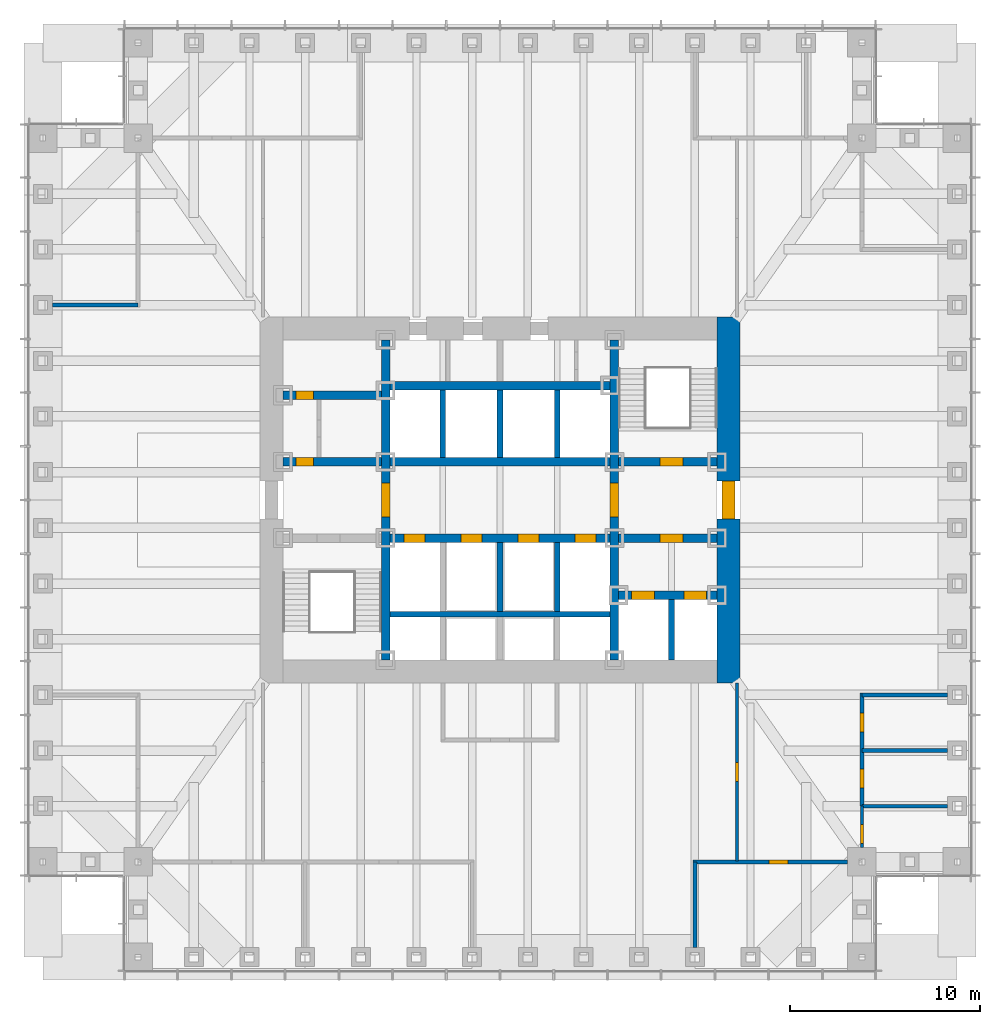
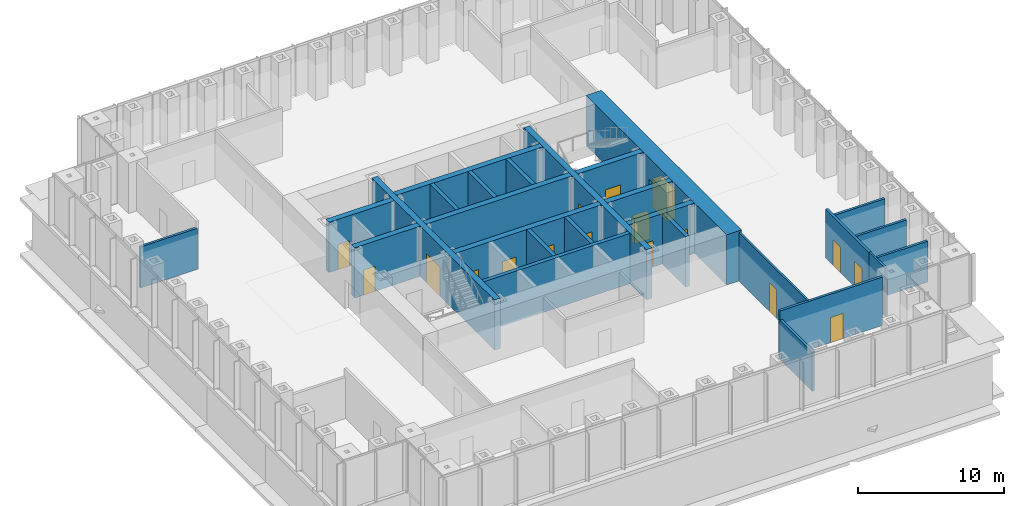
# One storey, part 9 of 16: 27 walls, 18 doors, 18 openings.
"""IFC4 building model written with IfcOpenShell, lengths in metres."""

from ifc_helpers import new_model, si_unit, direction, frame, frame_2d, origin, place, context, subcontext, project, spatial, rectangle, extrude, material, layer, layer_set, type_object, element, fill, save


model = new_model("IFC4")

# Units and contexts
model_context = context("Model", 3, precision=1e-05, world=origin(), true_north=direction((0.0, 1.0)))
body_context = subcontext(model_context, "Body", "Model", "MODEL_VIEW")
ifc_project = project(units=[si_unit("LENGTHUNIT", "METRE"), si_unit("AREAUNIT", "SQUARE_METRE"), si_unit("VOLUMEUNIT", "CUBIC_METRE"), si_unit("PLANEANGLEUNIT", "RADIAN"), si_unit("MASSUNIT", "GRAM", prefix="KILO")], contexts=[model_context])

# Site, building, storey
site_placement = place(None, origin())
site = spatial("IfcSite", under=ifc_project, at=site_placement, CompositionType="ELEMENT")
building_placement = place(site_placement, origin())
building = spatial("IfcBuilding", under=site, at=building_placement, Name="Daluyong Arena Tower", CompositionType="ELEMENT")
storey_placement = place(building_placement, frame((0.0, 0.0, 34.89990234375)))
storey = spatial("IfcBuildingStorey", under=building, at=storey_placement, Name="L06", CompositionType="ELEMENT", Elevation=34.89990234375)

# Wall, opening, door
ifc_material_1 = material(Name="Concrete fc' 45 MPa", Category="concrete")
ifc_layer_1 = layer(ifc_material_1, 0.449951171875)
ifc_layer_set_1 = layer_set([ifc_layer_1], Name="Concrete fc' 45 MPa")
wall_type_1 = type_object("IfcWallType", Name="Core inner wall 450", PredefinedType="SHEAR", material=ifc_layer_set_1)
wall_1_placement = place(storey_placement, frame((50.0, 71.60009765625, 0.0), z_axis=(0.0, 0.0, 1.0), x_axis=(0.0, 1.0, 0.0)))
wall_1 = element("IfcWall", 1, at=wall_1_placement, inside=storey, type_object=wall_type_1, Name="core inner wall at L06", PredefinedType="SHEAR", context=body_context, shape_type="SweptSolid", body=[
    extrude(rectangle(XDim=16.7998046875, YDim=0.449951171875, at=frame_2d((8.39990234375, 0.0))), origin(), (0.0, 0.0, 1.0), 4.2001953125),
])
opening_1_placement = place(wall_1_placement, frame((7.5, 0.0, 0.0)))
opening_1 = element("IfcOpeningElement", 2, at=opening_1_placement, cuts=wall_1, Name="Opening 06012", PredefinedType="OPENING", context=body_context, shape_type="SweptSolid", body=[
    extrude(rectangle(XDim=1.800048828125, YDim=2.39990234375, at=frame_2d((0.89990234375, 1.199951171875))), frame((0.0, 0.23486328125, 0.0), z_axis=(0.0, -1.0, 0.0), x_axis=(1.0, 0.0, 0.0)), (0.0, 0.0, 1.0), 0.469970703125),
])
ifc_material_2 = material(Name="Steel door, fire rated", Category="steel")
door_type_1 = type_object("IfcDoorType", Name="Lift lobby opening door 1800", OperationType="DOUBLE_DOOR_SINGLE_SWING", PredefinedType="DOOR", material=ifc_material_2)
door_1_placement = place(opening_1_placement, origin())
door_1 = element("IfcDoor", 3, at=door_1_placement, inside=storey, type_object=door_type_1, Name="lift lobby door west 06012", OperationType="DOUBLE_DOOR_SINGLE_SWING", OverallHeight=2.39990234375, OverallWidth=1.800048828125, PredefinedType="DOOR", context=body_context, shape_type="SweptSolid", body=[
    extrude(rectangle(XDim=1.800048828125, YDim=2.39990234375, at=frame_2d((0.89990234375, 1.199951171875))), frame((0.0, 0.224609375, 0.0), z_axis=(0.0, -1.0, 0.0), x_axis=(1.0, 0.0, 0.0)), (0.0, 0.0, 1.0), 0.449462890625),
])
fill(opening_1, door_1)

wall_2_placement = place(storey_placement, frame((62.0, 71.60009765625, 0.0), z_axis=(0.0, 0.0, 1.0), x_axis=(0.0, 1.0, 0.0)))
wall_2 = element("IfcWall", 4, at=wall_2_placement, inside=storey, type_object=wall_type_1, Name="core inner wall at L06", PredefinedType="SHEAR", context=body_context, shape_type="SweptSolid", body=[
    extrude(rectangle(XDim=16.7998046875, YDim=0.449951171875, at=frame_2d((8.39990234375, 0.0))), origin(), (0.0, 0.0, 1.0), 4.2001953125),
])
opening_2_placement = place(wall_2_placement, frame((7.5, 0.0, 0.0)))
opening_2 = element("IfcOpeningElement", 5, at=opening_2_placement, cuts=wall_2, Name="Opening 06013", PredefinedType="OPENING", context=body_context, shape_type="SweptSolid", body=[
    extrude(rectangle(XDim=1.800048828125, YDim=2.39990234375, at=frame_2d((0.89990234375, 1.199951171875))), frame((0.0, 0.23486328125, 0.0), z_axis=(0.0, -1.0, 0.0), x_axis=(1.0, 0.0, 0.0)), (0.0, 0.0, 1.0), 0.469970703125),
])
door_2_placement = place(opening_2_placement, origin())
door_2 = element("IfcDoor", 6, at=door_2_placement, inside=storey, type_object=door_type_1, Name="lift lobby door east 06013", OperationType="DOUBLE_DOOR_SINGLE_SWING", OverallHeight=2.39990234375, OverallWidth=1.800048828125, PredefinedType="DOOR", context=body_context, shape_type="SweptSolid", body=[
    extrude(rectangle(XDim=1.800048828125, YDim=2.39990234375, at=frame_2d((0.89990234375, 1.199951171875))), frame((0.0, 0.224609375, 0.0), z_axis=(0.0, -1.0, 0.0), x_axis=(1.0, 0.0, 0.0)), (0.0, 0.0, 1.0), 0.449462890625),
])
fill(opening_2, door_2)

wall_3_placement = place(storey_placement, frame((44.60009765625, 82.0, 0.0), z_axis=(0.0, 0.0, 1.0), x_axis=(1.0, 0.0, 0.0)))
wall_3 = element("IfcWall", 7, at=wall_3_placement, inside=storey, type_object=wall_type_1, Name="core inner wall at L06", PredefinedType="SHEAR", context=body_context, shape_type="SweptSolid", body=[
    extrude(rectangle(XDim=5.1748046875, YDim=0.449951171875, at=frame_2d((2.58740234375, 0.0))), origin(), (0.0, 0.0, 1.0), 4.2001953125),
])
opening_3_placement = place(wall_3_placement, frame((0.699951171875, 0.0, 0.0)))
opening_3 = element("IfcOpeningElement", 8, at=opening_3_placement, cuts=wall_3, Name="Opening 06001", PredefinedType="OPENING", context=body_context, shape_type="SweptSolid", body=[
    extrude(rectangle(XDim=0.89990234375, YDim=2.10009765625, at=frame_2d((0.449951171875, 1.050048828125))), frame((0.0, 0.23486328125, 0.0), z_axis=(0.0, -1.0, 0.0), x_axis=(1.0, 0.0, 0.0)), (0.0, 0.0, 1.0), 0.469970703125),
])
ifc_material_3 = material(Name="Steel door, fire rated", Category="steel")
door_type_2 = type_object("IfcDoorType", Name="Core room door 900", OperationType="SINGLE_SWING_LEFT", PredefinedType="DOOR", material=ifc_material_3)
door_3_placement = place(opening_3_placement, origin())
door_3 = element("IfcDoor", 9, at=door_3_placement, inside=storey, type_object=door_type_2, Name="toilet lobby door 06001", OperationType="SINGLE_SWING_LEFT", OverallHeight=2.10009765625, OverallWidth=0.89990234375, PredefinedType="DOOR", context=body_context, shape_type="SweptSolid", body=[
    extrude(rectangle(XDim=0.89990234375, YDim=2.10009765625, at=frame_2d((0.449951171875, 1.050048828125))), frame((0.0, 0.224609375, 0.0), z_axis=(0.0, -1.0, 0.0), x_axis=(1.0, 0.0, 0.0)), (0.0, 0.0, 1.0), 0.449462890625),
])
fill(opening_3, door_3)

wall_4_placement = place(storey_placement, frame((44.60009765625, 85.5, 0.0), z_axis=(0.0, 0.0, 1.0), x_axis=(1.0, 0.0, 0.0)))
wall_4 = element("IfcWall", 10, at=wall_4_placement, inside=storey, type_object=wall_type_1, Name="core inner wall at L06", PredefinedType="SHEAR", context=body_context, shape_type="SweptSolid", body=[
    extrude(rectangle(XDim=5.1748046875, YDim=0.449951171875, at=frame_2d((2.58740234375, 0.0))), origin(), (0.0, 0.0, 1.0), 4.2001953125),
])
opening_4_placement = place(wall_4_placement, frame((0.699951171875, 0.0, 0.0)))
opening_4 = element("IfcOpeningElement", 11, at=opening_4_placement, cuts=wall_4, Name="Opening 06003", PredefinedType="OPENING", context=body_context, shape_type="SweptSolid", body=[
    extrude(rectangle(XDim=0.89990234375, YDim=2.10009765625, at=frame_2d((0.449951171875, 1.050048828125))), frame((0.0, 0.23486328125, 0.0), z_axis=(0.0, -1.0, 0.0), x_axis=(1.0, 0.0, 0.0)), (0.0, 0.0, 1.0), 0.469970703125),
])
ifc_material_4 = material(Name="Timber door", Category="wood")
door_type_3 = type_object("IfcDoorType", Name="Toilet door 900", OperationType="SINGLE_SWING_RIGHT", PredefinedType="DOOR", material=ifc_material_4)
door_4_placement = place(opening_4_placement, origin())
door_4 = element("IfcDoor", 12, at=door_4_placement, inside=storey, type_object=door_type_3, Name="female toilet door 06003", OperationType="SINGLE_SWING_RIGHT", OverallHeight=2.10009765625, OverallWidth=0.89990234375, PredefinedType="DOOR", context=body_context, shape_type="SweptSolid", body=[
    extrude(rectangle(XDim=0.89990234375, YDim=2.10009765625, at=frame_2d((0.449951171875, 1.050048828125))), frame((0.0, 0.224609375, 0.0), z_axis=(0.0, -1.0, 0.0), x_axis=(1.0, 0.0, 0.0)), (0.0, 0.0, 1.0), 0.449462890625),
])
fill(opening_4, door_4)

# Wall, openings, doors
wall_5_placement = place(storey_placement, frame((62.22509765625, 75.0, 0.0), z_axis=(0.0, 0.0, 1.0), x_axis=(1.0, 0.0, 0.0)))
wall_5 = element("IfcWall", 13, at=wall_5_placement, inside=storey, type_object=wall_type_1, Name="core inner wall at L06", PredefinedType="SHEAR", context=body_context, shape_type="SweptSolid", body=[
    extrude(rectangle(XDim=5.1748046875, YDim=0.449951171875, at=frame_2d((2.58740234375, 0.0))), origin(), (0.0, 0.0, 1.0), 4.2001953125),
])
opening_5_placement = place(wall_5_placement, frame((0.675048828125, 0.0, 0.0)))
opening_5 = element("IfcOpeningElement", 14, at=opening_5_placement, cuts=wall_5, Name="Opening 06019", PredefinedType="OPENING", context=body_context, shape_type="SweptSolid", body=[
    extrude(rectangle(XDim=1.199951171875, YDim=2.199951171875, at=frame_2d((0.60009765625, 1.10009765625))), frame((0.0, 0.23486328125, 0.0), z_axis=(0.0, -1.0, 0.0), x_axis=(1.0, 0.0, 0.0)), (0.0, 0.0, 1.0), 0.469970703125),
])
opening_6_placement = place(wall_5_placement, frame((3.425048828125, 0.0, 0.0)))
opening_6 = element("IfcOpeningElement", 15, at=opening_6_placement, cuts=wall_5, Name="Opening 06020", PredefinedType="OPENING", context=body_context, shape_type="SweptSolid", body=[
    extrude(rectangle(XDim=1.199951171875, YDim=2.199951171875, at=frame_2d((0.60009765625, 1.10009765625))), frame((0.0, 0.23486328125, 0.0), z_axis=(0.0, -1.0, 0.0), x_axis=(1.0, 0.0, 0.0)), (0.0, 0.0, 1.0), 0.469970703125),
])
ifc_material_5 = material(Name="Steel door, fire rated", Category="steel")
door_type_4 = type_object("IfcDoorType", Name="Firefighting lift landing door 1200", OperationType="SLIDING_TO_LEFT", PredefinedType="DOOR", material=ifc_material_5)
door_5_placement = place(opening_5_placement, origin())
door_5 = element("IfcDoor", 16, at=door_5_placement, inside=storey, type_object=door_type_4, Name="firefighting lift landing door F1 06019", OperationType="SLIDING_TO_LEFT", OverallHeight=2.199951171875, OverallWidth=1.199951171875, PredefinedType="DOOR", context=body_context, shape_type="SweptSolid", body=[
    extrude(rectangle(XDim=1.199951171875, YDim=2.199951171875, at=frame_2d((0.60009765625, 1.10009765625))), frame((0.0, 0.224609375, 0.0), z_axis=(0.0, -1.0, 0.0), x_axis=(1.0, 0.0, 0.0)), (0.0, 0.0, 1.0), 0.449462890625),
])
fill(opening_5, door_5)
door_6_placement = place(opening_6_placement, origin())
door_6 = element("IfcDoor", 17, at=door_6_placement, inside=storey, type_object=door_type_4, Name="firefighting lift landing door F2 06020", OperationType="SLIDING_TO_LEFT", OverallHeight=2.199951171875, OverallWidth=1.199951171875, PredefinedType="DOOR", context=body_context, shape_type="SweptSolid", body=[
    extrude(rectangle(XDim=1.199951171875, YDim=2.199951171875, at=frame_2d((0.60009765625, 1.10009765625))), frame((0.0, 0.224609375, 0.0), z_axis=(0.0, -1.0, 0.0), x_axis=(1.0, 0.0, 0.0)), (0.0, 0.0, 1.0), 0.449462890625),
])
fill(opening_6, door_6)

# Wall, opening, door
wall_6_placement = place(storey_placement, frame((62.22509765625, 78.0, 0.0), z_axis=(0.0, 0.0, 1.0), x_axis=(1.0, 0.0, 0.0)))
wall_6 = element("IfcWall", 18, at=wall_6_placement, inside=storey, type_object=wall_type_1, Name="core inner wall at L06", PredefinedType="SHEAR", context=body_context, shape_type="SweptSolid", body=[
    extrude(rectangle(XDim=5.1748046875, YDim=0.449951171875, at=frame_2d((2.58740234375, 0.0))), origin(), (0.0, 0.0, 1.0), 4.2001953125),
])
opening_7_placement = place(wall_6_placement, frame((2.175048828125, 0.0, 0.0)))
opening_7 = element("IfcOpeningElement", 19, at=opening_7_placement, cuts=wall_6, Name="Opening 06014", PredefinedType="OPENING", context=body_context, shape_type="SweptSolid", body=[
    extrude(rectangle(XDim=1.199951171875, YDim=2.10009765625, at=frame_2d((0.60009765625, 1.050048828125))), frame((0.0, 0.23486328125, 0.0), z_axis=(0.0, -1.0, 0.0), x_axis=(1.0, 0.0, 0.0)), (0.0, 0.0, 1.0), 0.469970703125),
])
ifc_material_6 = material(Name="Steel door, fire rated", Category="steel")
door_type_5 = type_object("IfcDoorType", Name="Firefighting lobby door 1200", OperationType="SINGLE_SWING_RIGHT", PredefinedType="DOOR", material=ifc_material_6)
door_7_placement = place(opening_7_placement, origin())
door_7 = element("IfcDoor", 20, at=door_7_placement, inside=storey, type_object=door_type_5, Name="firefighting lobby door 06014", OperationType="SINGLE_SWING_RIGHT", OverallHeight=2.10009765625, OverallWidth=1.199951171875, PredefinedType="DOOR", context=body_context, shape_type="SweptSolid", body=[
    extrude(rectangle(XDim=1.199951171875, YDim=2.10009765625, at=frame_2d((0.60009765625, 1.050048828125))), frame((0.0, 0.224609375, 0.0), z_axis=(0.0, -1.0, 0.0), x_axis=(1.0, 0.0, 0.0)), (0.0, 0.0, 1.0), 0.449462890625),
])
fill(opening_7, door_7)

wall_7_placement = place(storey_placement, frame((62.22509765625, 82.0, 0.0), z_axis=(0.0, 0.0, 1.0), x_axis=(1.0, 0.0, 0.0)))
wall_7 = element("IfcWall", 21, at=wall_7_placement, inside=storey, type_object=wall_type_1, Name="core inner wall at L06", PredefinedType="SHEAR", context=body_context, shape_type="SweptSolid", body=[
    extrude(rectangle(XDim=5.1748046875, YDim=0.449951171875, at=frame_2d((2.58740234375, 0.0))), origin(), (0.0, 0.0, 1.0), 4.2001953125),
])
opening_8_placement = place(wall_7_placement, frame((2.175048828125, 0.0, 0.0)))
opening_8 = element("IfcOpeningElement", 22, at=opening_8_placement, cuts=wall_7, Name="Opening 06009", PredefinedType="OPENING", context=body_context, shape_type="SweptSolid", body=[
    extrude(rectangle(XDim=1.199951171875, YDim=2.10009765625, at=frame_2d((0.60009765625, 1.050048828125))), frame((0.0, 0.23486328125, 0.0), z_axis=(0.0, -1.0, 0.0), x_axis=(1.0, 0.0, 0.0)), (0.0, 0.0, 1.0), 0.469970703125),
])
ifc_material_7 = material(Name="Steel door, fire rated", Category="steel")
door_type_6 = type_object("IfcDoorType", Name="Stair door 1200", OperationType="SINGLE_SWING_LEFT", PredefinedType="DOOR", material=ifc_material_7)
door_8_placement = place(opening_8_placement, origin())
door_8 = element("IfcDoor", 23, at=door_8_placement, inside=storey, type_object=door_type_6, Name="stair B door 06009", OperationType="SINGLE_SWING_LEFT", OverallHeight=2.10009765625, OverallWidth=1.199951171875, PredefinedType="DOOR", context=body_context, shape_type="SweptSolid", body=[
    extrude(rectangle(XDim=1.199951171875, YDim=2.10009765625, at=frame_2d((0.60009765625, 1.050048828125))), frame((0.0, 0.224609375, 0.0), z_axis=(0.0, -1.0, 0.0), x_axis=(1.0, 0.0, 0.0)), (0.0, 0.0, 1.0), 0.449462890625),
])
fill(opening_8, door_8)

# Wall, openings, doors
wall_8_placement = place(storey_placement, frame((50.22509765625, 78.0, 0.0), z_axis=(0.0, 0.0, 1.0), x_axis=(1.0, 0.0, 0.0)))
wall_8 = element("IfcWall", 24, at=wall_8_placement, inside=storey, type_object=wall_type_1, Name="core inner wall at L06", PredefinedType="SHEAR", context=body_context, shape_type="SweptSolid", body=[
    extrude(rectangle(XDim=11.5498046875, YDim=0.449951171875, at=frame_2d((5.77490234375, 0.0))), origin(), (0.0, 0.0, 1.0), 4.2001953125),
])
opening_9_placement = place(wall_8_placement, frame((0.72509765625, 0.0, 0.0)))
opening_9 = element("IfcOpeningElement", 25, at=opening_9_placement, cuts=wall_8, Name="Opening 06015", PredefinedType="OPENING", context=body_context, shape_type="SweptSolid", body=[
    extrude(rectangle(XDim=1.10009765625, YDim=2.199951171875, at=frame_2d((0.550048828125, 1.10009765625))), frame((0.0, 0.23486328125, 0.0), z_axis=(0.0, -1.0, 0.0), x_axis=(1.0, 0.0, 0.0)), (0.0, 0.0, 1.0), 0.469970703125),
])
opening_10_placement = place(wall_8_placement, frame((3.72509765625, 0.0, 0.0)))
opening_10 = element("IfcOpeningElement", 26, at=opening_10_placement, cuts=wall_8, Name="Opening 06016", PredefinedType="OPENING", context=body_context, shape_type="SweptSolid", body=[
    extrude(rectangle(XDim=1.10009765625, YDim=2.199951171875, at=frame_2d((0.550048828125, 1.10009765625))), frame((0.0, 0.23486328125, 0.0), z_axis=(0.0, -1.0, 0.0), x_axis=(1.0, 0.0, 0.0)), (0.0, 0.0, 1.0), 0.469970703125),
])
opening_11_placement = place(wall_8_placement, frame((6.72509765625, 0.0, 0.0)))
opening_11 = element("IfcOpeningElement", 27, at=opening_11_placement, cuts=wall_8, Name="Opening 06017", PredefinedType="OPENING", context=body_context, shape_type="SweptSolid", body=[
    extrude(rectangle(XDim=1.10009765625, YDim=2.199951171875, at=frame_2d((0.550048828125, 1.10009765625))), frame((0.0, 0.23486328125, 0.0), z_axis=(0.0, -1.0, 0.0), x_axis=(1.0, 0.0, 0.0)), (0.0, 0.0, 1.0), 0.469970703125),
])
opening_12_placement = place(wall_8_placement, frame((9.72509765625, 0.0, 0.0)))
opening_12 = element("IfcOpeningElement", 28, at=opening_12_placement, cuts=wall_8, Name="Opening 06018", PredefinedType="OPENING", context=body_context, shape_type="SweptSolid", body=[
    extrude(rectangle(XDim=1.10009765625, YDim=2.199951171875, at=frame_2d((0.550048828125, 1.10009765625))), frame((0.0, 0.23486328125, 0.0), z_axis=(0.0, -1.0, 0.0), x_axis=(1.0, 0.0, 0.0)), (0.0, 0.0, 1.0), 0.469970703125),
])
ifc_material_8 = material(Name="Steel door, fire rated", Category="steel")
door_type_7 = type_object("IfcDoorType", Name="Lift landing door 1100", OperationType="SLIDING_TO_LEFT", PredefinedType="DOOR", material=ifc_material_8)
door_9_placement = place(opening_9_placement, origin())
door_9 = element("IfcDoor", 29, at=door_9_placement, inside=storey, type_object=door_type_7, Name="lift landing door A1 06015", OperationType="SLIDING_TO_LEFT", OverallHeight=2.199951171875, OverallWidth=1.10009765625, PredefinedType="DOOR", context=body_context, shape_type="SweptSolid", body=[
    extrude(rectangle(XDim=1.10009765625, YDim=2.199951171875, at=frame_2d((0.550048828125, 1.10009765625))), frame((0.0, 0.224609375, 0.0), z_axis=(0.0, -1.0, 0.0), x_axis=(1.0, 0.0, 0.0)), (0.0, 0.0, 1.0), 0.449462890625),
])
fill(opening_9, door_9)
door_10_placement = place(opening_10_placement, origin())
door_10 = element("IfcDoor", 30, at=door_10_placement, inside=storey, type_object=door_type_7, Name="lift landing door A2 06016", OperationType="SLIDING_TO_LEFT", OverallHeight=2.199951171875, OverallWidth=1.10009765625, PredefinedType="DOOR", context=body_context, shape_type="SweptSolid", body=[
    extrude(rectangle(XDim=1.10009765625, YDim=2.199951171875, at=frame_2d((0.550048828125, 1.10009765625))), frame((0.0, 0.224609375, 0.0), z_axis=(0.0, -1.0, 0.0), x_axis=(1.0, 0.0, 0.0)), (0.0, 0.0, 1.0), 0.449462890625),
])
fill(opening_10, door_10)
door_11_placement = place(opening_11_placement, origin())
door_11 = element("IfcDoor", 31, at=door_11_placement, inside=storey, type_object=door_type_7, Name="lift landing door A3 06017", OperationType="SLIDING_TO_LEFT", OverallHeight=2.199951171875, OverallWidth=1.10009765625, PredefinedType="DOOR", context=body_context, shape_type="SweptSolid", body=[
    extrude(rectangle(XDim=1.10009765625, YDim=2.199951171875, at=frame_2d((0.550048828125, 1.10009765625))), frame((0.0, 0.224609375, 0.0), z_axis=(0.0, -1.0, 0.0), x_axis=(1.0, 0.0, 0.0)), (0.0, 0.0, 1.0), 0.449462890625),
])
fill(opening_11, door_11)
door_12_placement = place(opening_12_placement, origin())
door_12 = element("IfcDoor", 32, at=door_12_placement, inside=storey, type_object=door_type_7, Name="lift landing door A4 06018", OperationType="SLIDING_TO_LEFT", OverallHeight=2.199951171875, OverallWidth=1.10009765625, PredefinedType="DOOR", context=body_context, shape_type="SweptSolid", body=[
    extrude(rectangle(XDim=1.10009765625, YDim=2.199951171875, at=frame_2d((0.550048828125, 1.10009765625))), frame((0.0, 0.224609375, 0.0), z_axis=(0.0, -1.0, 0.0), x_axis=(1.0, 0.0, 0.0)), (0.0, 0.0, 1.0), 0.449462890625),
])
fill(opening_12, door_12)

# Walls
for number, where, z_axis, x_axis, name in (
    (33, (50.22509765625, 82.0, 0.0), (0.0, 0.0, 1.0), (1.0, 0.0, 0.0), "core inner wall at L06"),
    (34, (50.22509765625, 86.0, 0.0), (0.0, 0.0, 1.0), (1.0, 0.0, 0.0), "core inner wall at L06"),
):
    element("IfcWall", number, at=place(storey_placement, frame(where, z_axis=z_axis, x_axis=x_axis)), inside=storey, type_object=wall_type_1, Name=name, PredefinedType="SHEAR", context=body_context, shape_type="SweptSolid", body=[
        extrude(rectangle(XDim=11.5498046875, YDim=0.449951171875, at=frame_2d((5.77490234375, 0.0))), origin(), (0.0, 0.0, 1.0), 4.2001953125),
    ])

# Wall, opening, door
ifc_material_9 = material(Name="Concrete fc' 60 MPa", Category="concrete")
ifc_layer_2 = layer(ifc_material_9, 1.199951171875)
ifc_layer_set_2 = layer_set([ifc_layer_2], Name="Concrete fc' 60 MPa")
wall_type_2 = type_object("IfcWallType", Name="Core wall 1200", PredefinedType="SHEAR", material=ifc_layer_set_2)
wall_9_placement = place(storey_placement, frame((68.0, 70.39990234375, 0.0), z_axis=(0.0, 0.0, 1.0), x_axis=(0.0, 1.0, 0.0)))
wall_9 = element("IfcWall", 35, at=wall_9_placement, inside=storey, type_object=wall_type_2, Name="core wall at L06", PredefinedType="SHEAR", context=body_context, shape_type="SweptSolid", body=[
    extrude(rectangle(XDim=19.2001953125, YDim=1.199951171875, at=frame_2d((9.60009765625, 0.0))), origin(), (0.0, 0.0, 1.0), 4.2001953125),
])
opening_13_placement = place(wall_9_placement, frame((8.60009765625, 0.0, 0.0)))
opening_13 = element("IfcOpeningElement", 36, at=opening_13_placement, cuts=wall_9, Name="Opening 06011", PredefinedType="OPENING", context=body_context, shape_type="SweptSolid", body=[
    extrude(rectangle(XDim=2.0, YDim=2.39990234375, at=frame_2d((1.0, 1.199951171875))), frame((0.0, 0.60986328125, 0.0), z_axis=(0.0, -1.0, 0.0), x_axis=(1.0, 0.0, 0.0)), (0.0, 0.0, 1.0), 1.219970703125),
])
ifc_material_10 = material(Name="Steel door, fire rated", Category="steel")
door_type_8 = type_object("IfcDoorType", Name="Core lobby double door 2000", OperationType="DOUBLE_DOOR_SINGLE_SWING", PredefinedType="DOOR", material=ifc_material_10)
door_13_placement = place(opening_13_placement, origin())
door_13 = element("IfcDoor", 37, at=door_13_placement, inside=storey, type_object=door_type_8, Name="core lobby door east 06011", OperationType="DOUBLE_DOOR_SINGLE_SWING", OverallHeight=2.39990234375, OverallWidth=2.0, PredefinedType="DOOR", context=body_context, shape_type="SweptSolid", body=[
    extrude(rectangle(XDim=2.0, YDim=2.39990234375, at=frame_2d((1.0, 1.199951171875))), frame((0.0, 0.35009765625, 0.0), z_axis=(0.0, -1.0, 0.0), x_axis=(1.0, 0.0, 0.0)), (0.0, 0.0, 1.0), 0.699951171875),
])
fill(opening_13, door_13)

ifc_material_11 = material(Name="Glazed aluminium partition", Category="aluminium")
ifc_layer_3 = layer(ifc_material_11, 0.14990234375)
ifc_layer_set_3 = layer_set([ifc_layer_3], Name="Glazed aluminium partition")
wall_type_3 = type_object("IfcWallType", Name="Glazed partition 150", PredefinedType="PARTITIONING", material=ifc_layer_set_3)
wall_10_placement = place(storey_placement, frame((68.449951171875, 61.050048828125, 0.0), z_axis=(0.0, 0.0, 1.0), x_axis=(0.0, 1.0, 0.0)))
wall_10 = element("IfcWall", 38, at=wall_10_placement, inside=storey, type_object=wall_type_3, Name="glazed partition at L06", PredefinedType="PARTITIONING", context=body_context, shape_type="SweptSolid", body=[
    extrude(rectangle(XDim=9.349853515625, YDim=0.14990234375, at=frame_2d((4.6748046875, 0.0))), origin(), (0.0, 0.0, 1.0), 4.0400390625),
])
opening_14_placement = place(wall_10_placement, frame((4.175048828125, 0.0, 0.0)))
opening_14 = element("IfcOpeningElement", 39, at=opening_14_placement, cuts=wall_10, Name="Opening 06035", PredefinedType="OPENING", context=body_context, shape_type="SweptSolid", body=[
    extrude(rectangle(XDim=1.0, YDim=2.39990234375, at=frame_2d((0.5, 1.199951171875))), frame((0.0, 0.0849609375, 0.0), z_axis=(0.0, -1.0, 0.0), x_axis=(1.0, 0.0, 0.0)), (0.0, 0.0, 1.0), 0.169921875),
])
ifc_material_12 = material(Name="Glazed aluminium door", Category="aluminium")
door_type_9 = type_object("IfcDoorType", Name="Meeting room glazed door 1000", OperationType="SINGLE_SWING_RIGHT", PredefinedType="DOOR", material=ifc_material_12)
door_14_placement = place(opening_14_placement, origin())
door_14 = element("IfcDoor", 40, at=door_14_placement, inside=storey, type_object=door_type_9, Name="team area screen door 06035", OperationType="SINGLE_SWING_RIGHT", OverallHeight=2.39990234375, OverallWidth=1.0, PredefinedType="DOOR", context=body_context, shape_type="SweptSolid", body=[
    extrude(rectangle(XDim=1.0, YDim=2.39990234375, at=frame_2d((0.5, 1.199951171875))), frame((0.0, 0.07470703125, 0.0), z_axis=(0.0, -1.0, 0.0), x_axis=(1.0, 0.0, 0.0)), (0.0, 0.0, 1.0), 0.1494140625),
])
fill(opening_14, door_14)

wall_11_placement = place(storey_placement, frame((75.0, 61.75, 0.0), z_axis=(0.0, 0.0, 1.0), x_axis=(0.0, 1.0, 0.0)))
wall_11 = element("IfcWall", 41, at=wall_11_placement, inside=storey, type_object=wall_type_3, Name="glazed partition at L06", PredefinedType="PARTITIONING", context=body_context, shape_type="SweptSolid", body=[
    extrude(rectangle(XDim=2.173095703125, YDim=0.14990234375, at=frame_2d((1.08642578125, 0.0))), origin(), (0.0, 0.0, 1.0), 4.0400390625),
])
opening_15_placement = place(wall_11_placement, frame((0.21142578125, 0.0, 0.0)))
opening_15 = element("IfcOpeningElement", 42, at=opening_15_placement, cuts=wall_11, Name="Opening 06024", PredefinedType="OPENING", context=body_context, shape_type="SweptSolid", body=[
    extrude(rectangle(XDim=1.0, YDim=2.39990234375, at=frame_2d((0.5, 1.199951171875))), frame((0.0, 0.0849609375, 0.0), z_axis=(0.0, -1.0, 0.0), x_axis=(1.0, 0.0, 0.0)), (0.0, 0.0, 1.0), 0.169921875),
])
door_15_placement = place(opening_15_placement, origin())
door_15 = element("IfcDoor", 43, at=door_15_placement, inside=storey, type_object=door_type_9, Name="meeting room door 06024", OperationType="SINGLE_SWING_RIGHT", OverallHeight=2.39990234375, OverallWidth=1.0, PredefinedType="DOOR", context=body_context, shape_type="SweptSolid", body=[
    extrude(rectangle(XDim=1.0, YDim=2.39990234375, at=frame_2d((0.5, 1.199951171875))), frame((0.0, 0.07470703125, 0.0), z_axis=(0.0, -1.0, 0.0), x_axis=(1.0, 0.0, 0.0)), (0.0, 0.0, 1.0), 0.1494140625),
])
fill(opening_15, door_15)

# Walls
ifc_material_13 = material(Name="Concrete fc' 45 MPa", Category="concrete")
ifc_layer_4 = layer(ifc_material_13, 0.300048828125)
ifc_layer_set_4 = layer_set([ifc_layer_4], Name="Concrete fc' 45 MPa")
wall_type_4 = type_object("IfcWallType", Name="Lift shaft wall 300", PredefinedType="SHEAR", material=ifc_layer_set_4)
wall_12_placement = place(storey_placement, frame((50.22509765625, 74.0, 0.0), z_axis=(0.0, 0.0, 1.0), x_axis=(1.0, 0.0, 0.0)))
element("IfcWall", 44, at=wall_12_placement, inside=storey, type_object=wall_type_4, Name="lift shaft wall at L06", PredefinedType="SHEAR", context=body_context, shape_type="SweptSolid", body=[
    extrude(rectangle(XDim=11.5498046875, YDim=0.300048828125, at=frame_2d((5.77490234375, 0.0))), origin(), (0.0, 0.0, 1.0), 4.2001953125),
])
wall_13_placement = place(storey_placement, frame((53.0, 82.22509765625, 0.0), z_axis=(0.0, 0.0, 1.0), x_axis=(0.0, 1.0, 0.0)))
element("IfcWall", 45, at=wall_13_placement, inside=storey, type_object=wall_type_4, Name="lift shaft wall at L06", PredefinedType="SHEAR", context=body_context, shape_type="SweptSolid", body=[
    extrude(rectangle(XDim=3.5498046875, YDim=0.300048828125, at=frame_2d((1.77490234375, 0.0))), origin(), (0.0, 0.0, 1.0), 4.2001953125),
])
wall_14_placement = place(storey_placement, frame((56.0, 74.14990234375, 0.0), z_axis=(0.0, 0.0, 1.0), x_axis=(0.0, 1.0, 0.0)))
element("IfcWall", 46, at=wall_14_placement, inside=storey, type_object=wall_type_4, Name="lift shaft wall at L06", PredefinedType="SHEAR", context=body_context, shape_type="SweptSolid", body=[
    extrude(rectangle(XDim=3.625, YDim=0.300048828125, at=frame_2d((1.8125, 0.0))), origin(), (0.0, 0.0, 1.0), 4.2001953125),
])
wall_15_placement = place(storey_placement, frame((56.0, 82.22509765625, 0.0), z_axis=(0.0, 0.0, 1.0), x_axis=(0.0, 1.0, 0.0)))
element("IfcWall", 47, at=wall_15_placement, inside=storey, type_object=wall_type_4, Name="lift shaft wall at L06", PredefinedType="SHEAR", context=body_context, shape_type="SweptSolid", body=[
    extrude(rectangle(XDim=3.5498046875, YDim=0.300048828125, at=frame_2d((1.77490234375, 0.0))), origin(), (0.0, 0.0, 1.0), 4.2001953125),
])
wall_16_placement = place(storey_placement, frame((59.0, 74.14990234375, 0.0), z_axis=(0.0, 0.0, 1.0), x_axis=(0.0, 1.0, 0.0)))
element("IfcWall", 48, at=wall_16_placement, inside=storey, type_object=wall_type_4, Name="lift shaft wall at L06", PredefinedType="SHEAR", context=body_context, shape_type="SweptSolid", body=[
    extrude(rectangle(XDim=3.625, YDim=0.300048828125, at=frame_2d((1.8125, 0.0))), origin(), (0.0, 0.0, 1.0), 4.2001953125),
])
wall_17_placement = place(storey_placement, frame((59.0, 82.22509765625, 0.0), z_axis=(0.0, 0.0, 1.0), x_axis=(0.0, 1.0, 0.0)))
element("IfcWall", 49, at=wall_17_placement, inside=storey, type_object=wall_type_4, Name="lift shaft wall at L06", PredefinedType="SHEAR", context=body_context, shape_type="SweptSolid", body=[
    extrude(rectangle(XDim=3.5498046875, YDim=0.300048828125, at=frame_2d((1.77490234375, 0.0))), origin(), (0.0, 0.0, 1.0), 4.2001953125),
])
wall_18_placement = place(storey_placement, frame((65.0, 71.60009765625, 0.0), z_axis=(0.0, 0.0, 1.0), x_axis=(0.0, 1.0, 0.0)))
element("IfcWall", 50, at=wall_18_placement, inside=storey, type_object=wall_type_4, Name="lift shaft wall at L06", PredefinedType="SHEAR", context=body_context, shape_type="SweptSolid", body=[
    extrude(rectangle(XDim=3.1748046875, YDim=0.300048828125, at=frame_2d((1.58740234375, 0.0))), origin(), (0.0, 0.0, 1.0), 4.2001953125),
])
ifc_material_14 = material(Name="Concrete block partition", Category="concrete")
ifc_layer_5 = layer(ifc_material_14, 0.199951171875)
ifc_layer_set_5 = layer_set([ifc_layer_5], Name="Concrete block partition")
wall_type_5 = type_object("IfcWallType", Name="Partition 200", PredefinedType="PARTITIONING", material=ifc_layer_set_5)
wall_19_placement = place(storey_placement, frame((66.230712890625, 56.5, 0.0), z_axis=(0.0, 0.0, 1.0), x_axis=(0.0, 1.0, 0.0)))
element("IfcWall", 51, at=wall_19_placement, inside=storey, type_object=wall_type_5, Name="partition at L06", PredefinedType="PARTITIONING", context=body_context, shape_type="SweptSolid", body=[
    extrude(rectangle(XDim=4.5, YDim=0.199951171875, at=frame_2d((2.25, 0.0))), origin(), (0.0, 0.0, 1.0), 3.278076171875),
])
for number, where, z_axis, x_axis, name in (
    (52, (75.0, 63.923095703125, 0.0), (0.0, 0.0, 1.0), (1.0, 0.0, 0.0), "partition at L06"),
    (53, (75.0, 66.84619140625, 0.0), (0.0, 0.0, 1.0), (1.0, 0.0, 0.0), "partition at L06"),
    (54, (75.0, 69.769287109375, 0.0), (0.0, 0.0, 1.0), (1.0, 0.0, 0.0), "partition at L06"),
    (55, (32.5, 90.230712890625, 0.0), (0.0, 0.0, 1.0), (1.0, 0.0, 0.0), "partition at L06"),
):
    element("IfcWall", number, at=place(storey_placement, frame(where, z_axis=z_axis, x_axis=x_axis)), inside=storey, type_object=wall_type_5, Name=name, PredefinedType="PARTITIONING", context=body_context, shape_type="SweptSolid", body=[
        extrude(rectangle(XDim=4.5, YDim=0.199951171875, at=frame_2d((2.25, 0.0))), origin(), (0.0, 0.0, 1.0), 3.427978515625),
    ])

# Wall, opening, door
wall_20_placement = place(storey_placement, frame((66.130859375, 61.0, 0.0), z_axis=(0.0, 0.0, 1.0), x_axis=(1.0, 0.0, 0.0)))
wall_20 = element("IfcWall", 56, at=wall_20_placement, inside=storey, type_object=wall_type_5, Name="partition at L06", PredefinedType="PARTITIONING", context=body_context, shape_type="SweptSolid", body=[
    extrude(rectangle(XDim=8.119140625, YDim=0.199951171875, at=frame_2d((4.0595703125, 0.0))), origin(), (0.0, 0.0, 1.0), 4.0400390625),
])
opening_16_placement = place(wall_20_placement, frame((3.984619140625, 0.0, 0.0)))
opening_16 = element("IfcOpeningElement", 57, at=opening_16_placement, cuts=wall_20, Name="Opening 06023", PredefinedType="OPENING", context=body_context, shape_type="SweptSolid", body=[
    extrude(rectangle(XDim=1.0, YDim=2.10009765625, at=frame_2d((0.5, 1.050048828125))), frame((0.0, 0.10986328125, 0.0), z_axis=(0.0, -1.0, 0.0), x_axis=(1.0, 0.0, 0.0)), (0.0, 0.0, 1.0), 0.219970703125),
])
ifc_material_15 = material(Name="Timber door", Category="wood")
door_type_10 = type_object("IfcDoorType", Name="Room door 1000", OperationType="SINGLE_SWING_LEFT", PredefinedType="DOOR", material=ifc_material_15)
door_16_placement = place(opening_16_placement, origin())
door_16 = element("IfcDoor", 58, at=door_16_placement, inside=storey, type_object=door_type_10, Name="training room door 06023", OperationType="SINGLE_SWING_LEFT", OverallHeight=2.10009765625, OverallWidth=1.0, PredefinedType="DOOR", context=body_context, shape_type="SweptSolid", body=[
    extrude(rectangle(XDim=1.0, YDim=2.10009765625, at=frame_2d((0.5, 1.050048828125))), frame((0.0, 0.099609375, 0.0), z_axis=(0.0, -1.0, 0.0), x_axis=(1.0, 0.0, 0.0)), (0.0, 0.0, 1.0), 0.199462890625),
])
fill(opening_16, door_16)

# Wall, openings, doors
wall_21_placement = place(storey_placement, frame((75.0, 63.923095703125, 0.0), z_axis=(0.0, 0.0, 1.0), x_axis=(0.0, 1.0, 0.0)))
wall_21 = element("IfcWall", 59, at=wall_21_placement, inside=storey, type_object=wall_type_5, Name="partition at L06", PredefinedType="PARTITIONING", context=body_context, shape_type="SweptSolid", body=[
    extrude(rectangle(XDim=5.946044921875, YDim=0.199951171875, at=frame_2d((2.97314453125, 0.0))), origin(), (0.0, 0.0, 1.0), 4.0400390625),
])
opening_17_placement = place(wall_21_placement, frame((0.96142578125, 0.0, 0.0)))
opening_17 = element("IfcOpeningElement", 60, at=opening_17_placement, cuts=wall_21, Name="Opening 06025", PredefinedType="OPENING", context=body_context, shape_type="SweptSolid", body=[
    extrude(rectangle(XDim=1.0, YDim=2.10009765625, at=frame_2d((0.5, 1.050048828125))), frame((0.0, 0.10986328125, 0.0), z_axis=(0.0, -1.0, 0.0), x_axis=(1.0, 0.0, 0.0)), (0.0, 0.0, 1.0), 0.219970703125),
])
opening_18_placement = place(wall_21_placement, frame((3.884521484375, 0.0, 0.0)))
opening_18 = element("IfcOpeningElement", 61, at=opening_18_placement, cuts=wall_21, Name="Opening 06026", PredefinedType="OPENING", context=body_context, shape_type="SweptSolid", body=[
    extrude(rectangle(XDim=1.0, YDim=2.10009765625, at=frame_2d((0.5, 1.050048828125))), frame((0.0, 0.10986328125, 0.0), z_axis=(0.0, -1.0, 0.0), x_axis=(1.0, 0.0, 0.0)), (0.0, 0.0, 1.0), 0.219970703125),
])
door_17_placement = place(opening_17_placement, origin())
door_17 = element("IfcDoor", 62, at=door_17_placement, inside=storey, type_object=door_type_10, Name="wellness room door 06025", OperationType="SINGLE_SWING_LEFT", OverallHeight=2.10009765625, OverallWidth=1.0, PredefinedType="DOOR", context=body_context, shape_type="SweptSolid", body=[
    extrude(rectangle(XDim=1.0, YDim=2.10009765625, at=frame_2d((0.5, 1.050048828125))), frame((0.0, 0.099609375, 0.0), z_axis=(0.0, -1.0, 0.0), x_axis=(1.0, 0.0, 0.0)), (0.0, 0.0, 1.0), 0.199462890625),
])
fill(opening_17, door_17)
door_18_placement = place(opening_18_placement, origin())
door_18 = element("IfcDoor", 63, at=door_18_placement, inside=storey, type_object=door_type_10, Name="wellness room door 06026", OperationType="SINGLE_SWING_LEFT", OverallHeight=2.10009765625, OverallWidth=1.0, PredefinedType="DOOR", context=body_context, shape_type="SweptSolid", body=[
    extrude(rectangle(XDim=1.0, YDim=2.10009765625, at=frame_2d((0.5, 1.050048828125))), frame((0.0, 0.099609375, 0.0), z_axis=(0.0, -1.0, 0.0), x_axis=(1.0, 0.0, 0.0)), (0.0, 0.0, 1.0), 0.199462890625),
])
fill(opening_18, door_18)

save(model, "model.ifc")
